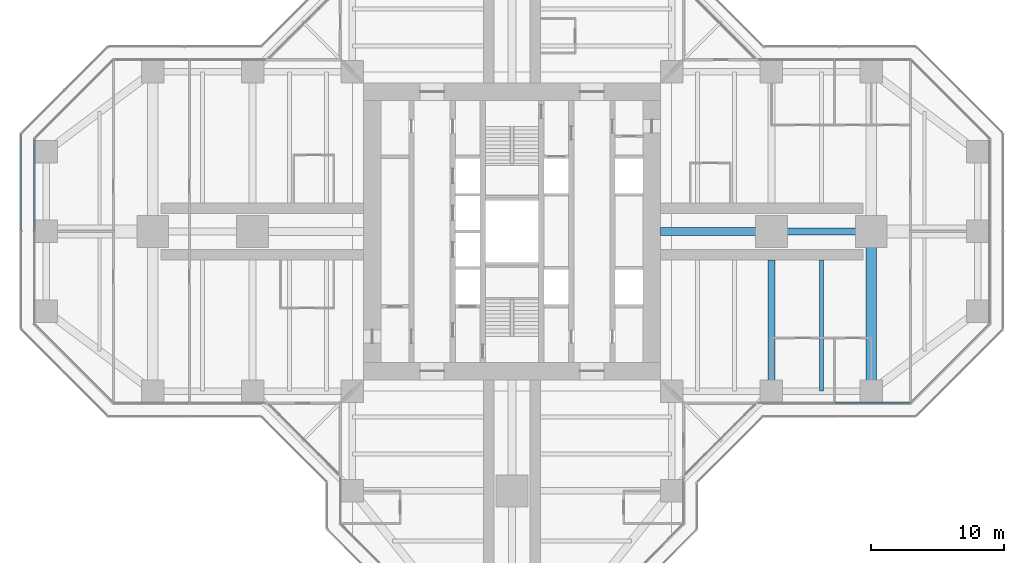
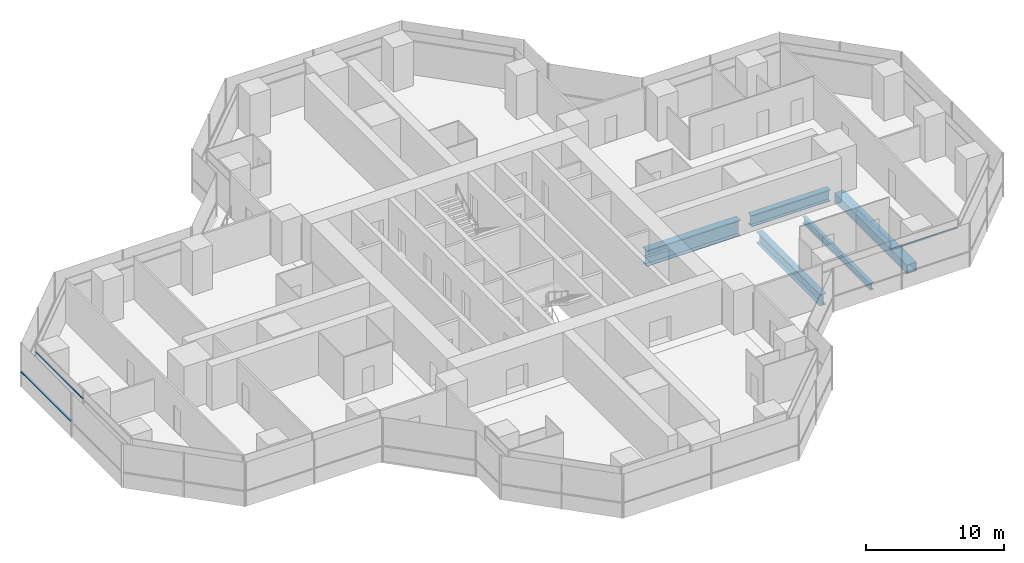
# One storey, part 6 of 20: 5 beams, 3 members, 3 elements without a shape of their own.
"""IFC4 building model written with IfcOpenShell, lengths in metres."""

from ifc_helpers import new_model, si_unit, direction, frame, origin, origin_2d, place, context, subcontext, project, spatial, rectangle, hollow_rectangle, i_section, extrude, material, material_profile, profile_set, type_object, element, aggregate, save


model = new_model("IFC4")

# Units and contexts
model_context = context("Model", 3, precision=1e-05, world=origin(), true_north=direction((0.0, 1.0)))
body_context = subcontext(model_context, "Body", "Model", "MODEL_VIEW")
ifc_project = project(units=[si_unit("LENGTHUNIT", "METRE"), si_unit("AREAUNIT", "SQUARE_METRE"), si_unit("VOLUMEUNIT", "CUBIC_METRE"), si_unit("PLANEANGLEUNIT", "RADIAN"), si_unit("MASSUNIT", "GRAM", prefix="KILO")], contexts=[model_context])

# Site, building, storey
site_placement = place(None, origin())
site = spatial("IfcSite", under=ifc_project, at=site_placement, CompositionType="ELEMENT")
building_placement = place(site_placement, origin())
building = spatial("IfcBuilding", under=site, at=building_placement, Name="Mizan Broadcast Tower", CompositionType="ELEMENT")
storey_placement = place(building_placement, frame((0.0, 0.0, 155.39990234375)))
storey = spatial("IfcBuildingStorey", under=building, at=storey_placement, Name="L35", CompositionType="ELEMENT", Elevation=155.39990234375)

# Beams
ifc_material_1 = material(Name="Steel S460", Category="steel")
ifc_material_profile_1 = material_profile(ifc_material_1, hollow_rectangle(XDim=0.800048828125, YDim=0.800048828125, WallThickness=0.050048828125, at=origin_2d()), Name="BOX 800x800x50")
ifc_profile_set_1 = profile_set([ifc_material_profile_1], Name="Steel S460")
beam_type_1 = type_object("IfcBeamType", Name="GIRDER BOX 800x800x50", PredefinedType="BEAM", material=ifc_profile_set_1)
beam_1_placement = place(storey_placement, frame((27.0, -11.280029296875, -0.52978515625), z_axis=(0.0, 1.0, 0.0), x_axis=(-1.0, 0.0, 0.0)))
element("IfcBeam", 1, at=beam_1_placement, inside=storey, type_object=beam_type_1, Name="Girder BOX 800x800x50 L35 east arm", PredefinedType="BEAM", context=body_context, shape_type="SweptSolid", body=[
    extrude(hollow_rectangle(XDim=0.800048828125, YDim=0.800048828125, WallThickness=0.050048828125, at=origin_2d()), origin(), (0.0, 0.0, 1.0), 10.56005859375),
])
ifc_material_2 = material(Name="Steel S460", Category="steel")
ifc_material_profile_2 = material_profile(ifc_material_2, i_section(OverallWidth=0.5, OverallDepth=1.0, WebThickness=0.02490234375, FlangeThickness=0.050048828125, at=origin_2d()), Name="WPG 1000x500")
ifc_profile_set_2 = profile_set([ifc_material_profile_2], Name="Steel S460")
beam_type_2 = type_object("IfcBeamType", Name="GIRDER WPG 1000x500", PredefinedType="BEAM", material=ifc_profile_set_2)
beam_2_placement = place(storey_placement, frame((19.949951171875, 0.0, -0.6298828125), z_axis=(1.0, 0.0, 0.0), x_axis=(0.0, 1.0, 0.0)))
element("IfcBeam", 2, at=beam_2_placement, inside=storey, type_object=beam_type_2, Name="Girder WPG 1000x500 L35 east arm", PredefinedType="BEAM", context=body_context, shape_type="SweptSolid", body=[
    extrude(i_section(OverallWidth=0.5, OverallDepth=1.0, WebThickness=0.02490234375, FlangeThickness=0.050048828125, at=origin_2d()), origin(), (0.0, 0.0, 1.0), 6.60009765625),
])
beam_3_placement = place(storey_placement, frame((19.5, -11.408935546875, -0.6298828125), z_axis=(0.0, 1.0, 0.0), x_axis=(-1.0, 0.0, 0.0)))
element("IfcBeam", 3, at=beam_3_placement, inside=storey, type_object=beam_type_2, Name="Girder WPG 1000x500 L35 east arm", PredefinedType="BEAM", context=body_context, shape_type="SweptSolid", body=[
    extrude(i_section(OverallWidth=0.5, OverallDepth=1.0, WebThickness=0.02490234375, FlangeThickness=0.050048828125, at=origin_2d()), origin(), (0.0, 0.0, 1.0), 9.259033203125),
])
ifc_material_3 = material(Name="Steel S460", Category="steel")
ifc_material_profile_3 = material_profile(ifc_material_3, i_section(OverallWidth=0.60009765625, OverallDepth=1.39990234375, WebThickness=0.02490234375, FlangeThickness=0.06005859375, at=origin_2d()), Name="WPG 1400x600")
ifc_profile_set_3 = profile_set([ifc_material_profile_3], Name="Steel S460")
beam_type_3 = type_object("IfcBeamType", Name="GIRDER WPG 1400x600", PredefinedType="BEAM", material=ifc_profile_set_3)
beam_4_placement = place(storey_placement, frame((11.14990234375, 0.0, -0.829833984375), z_axis=(1.0, 0.0, 0.0), x_axis=(0.0, 1.0, 0.0)))
element("IfcBeam", 4, at=beam_4_placement, inside=storey, type_object=beam_type_3, Name="Girder WPG 1400x600 L35 east arm", PredefinedType="BEAM", context=body_context, shape_type="SweptSolid", body=[
    extrude(i_section(OverallWidth=0.60009765625, OverallDepth=1.39990234375, WebThickness=0.02490234375, FlangeThickness=0.06005859375, at=origin_2d()), origin(), (0.0, 0.0, 1.0), 7.84912109375),
])

# Curtain wall, member
ifc_material_4 = material(Name="Aluminium framed glazing", Category="aluminium")
curtain_wall_type_1 = type_object("IfcCurtainWallType", Name="INNER SKIN MID ZONE", PredefinedType="USERDEFINED", material=ifc_material_4)
curtain_wall_1_placement = place(storey_placement, origin())
curtain_wall_1 = element("IfcCurtainWall", 5, at=curtain_wall_1_placement, inside=storey, type_object=curtain_wall_type_1, Name="Inner skin mid zone L35 E side", ObjectType="INNER SKIN MID ZONE", PredefinedType="USERDEFINED")
ifc_material_5 = material(Name="Aluminium, pale anodised", Category="aluminium")
ifc_material_profile_4 = material_profile(ifc_material_5, rectangle(XDim=0.1201171875, YDim=0.06005859375, at=origin_2d()), Name="TRANSOM 120x60")
ifc_profile_set_4 = profile_set([ifc_material_profile_4], Name="Aluminium, pale anodised")
member_type_1 = type_object("IfcMemberType", Name="INNER SKIN TRANSOM 60x120", PredefinedType="USERDEFINED", material=ifc_profile_set_4)
member_1_placement = place(storey_placement, frame((24.25927734375, -12.89990234375, 3.030029296875), z_axis=(1.0, 0.0, 0.0), x_axis=(0.0, 1.0, 0.0)))
member_1 = element("IfcMember", 6, at=member_1_placement, type_object=member_type_1, Name="Inner skin mid zone L35 E side transom 2.1", ObjectType="TRANSOM", PredefinedType="USERDEFINED", context=body_context, shape_type="SweptSolid", body=[
    extrude(rectangle(XDim=0.1201171875, YDim=0.06005859375, at=origin_2d()), origin(), (0.0, 0.0, 1.0), 5.639404296875),
])
aggregate(curtain_wall_1, [member_1])

curtain_wall_2_placement = place(storey_placement, origin())
curtain_wall_2 = element("IfcCurtainWall", 7, at=curtain_wall_2_placement, inside=storey, type_object=curtain_wall_type_1, Name="Inner skin mid zone L35 W end", ObjectType="INNER SKIN MID ZONE", PredefinedType="USERDEFINED")
member_2_placement = place(storey_placement, frame((-35.89990234375, 6.898681640625, 3.030029296875), z_axis=(0.0, -1.0, 0.0), x_axis=(1.0, 0.0, 0.0)))
member_2 = element("IfcMember", 8, at=member_2_placement, type_object=member_type_1, Name="Inner skin mid zone L35 W end transom 1.1", ObjectType="TRANSOM", PredefinedType="USERDEFINED", context=body_context, shape_type="SweptSolid", body=[
    extrude(rectangle(XDim=0.1201171875, YDim=0.06005859375, at=origin_2d()), origin(), (0.0, 0.0, 1.0), 6.86865234375),
])
aggregate(curtain_wall_2, [member_2])

ifc_material_6 = material(Name="Aluminium framed glazing", Category="aluminium")
curtain_wall_type_2 = type_object("IfcCurtainWallType", Name="OUTER SKIN", PredefinedType="USERDEFINED", material=ifc_material_6)
curtain_wall_3_placement = place(storey_placement, origin())
curtain_wall_3 = element("IfcCurtainWall", 9, at=curtain_wall_3_placement, inside=storey, type_object=curtain_wall_type_2, Name="Outer skin L35 W end", ObjectType="OUTER SKIN", PredefinedType="USERDEFINED")
ifc_material_7 = material(Name="Aluminium, pale anodised", Category="aluminium")
ifc_material_profile_5 = material_profile(ifc_material_7, rectangle(XDim=0.159912109375, YDim=0.06005859375, at=origin_2d()), Name="TRANSOM 160x60")
ifc_profile_set_5 = profile_set([ifc_material_profile_5], Name="Aluminium, pale anodised")
member_type_2 = type_object("IfcMemberType", Name="OUTER SKIN TRANSOM 60x160", PredefinedType="USERDEFINED", material=ifc_profile_set_5)
member_3_placement = place(storey_placement, frame((-36.89990234375, 7.292724609375, 1.400146484375), z_axis=(0.0, -1.0, 0.0), x_axis=(1.0, 0.0, 0.0)))
member_3 = element("IfcMember", 10, at=member_3_placement, type_object=member_type_2, Name="Outer skin L35 W end transom 1.1", ObjectType="TRANSOM", PredefinedType="USERDEFINED", context=body_context, shape_type="SweptSolid", body=[
    extrude(rectangle(XDim=0.159912109375, YDim=0.06005859375, at=origin_2d()), origin(), (0.0, 0.0, 1.0), 7.252685546875),
])
aggregate(curtain_wall_3, [member_3])

# Beam
ifc_material_8 = material(Name="Steel S355", Category="steel")
ifc_material_profile_6 = material_profile(ifc_material_8, i_section(OverallWidth=0.300048828125, OverallDepth=0.590087890625, WebThickness=0.012939453125, FlangeThickness=0.02490234375, FilletRadius=0.027099609375, at=origin_2d()), Name="HEA 600")
ifc_profile_set_6 = profile_set([ifc_material_profile_6], Name="Steel S355")
beam_type_4 = type_object("IfcBeamType", Name="SECONDARY BEAM HEA 600", PredefinedType="JOIST", material=ifc_profile_set_6)
beam_5_placement = place(storey_placement, frame((23.25, -12.0, -0.4248046875), z_axis=(0.0, 1.0, 0.0), x_axis=(-1.0, 0.0, 0.0)))
element("IfcBeam", 11, at=beam_5_placement, inside=storey, type_object=beam_type_4, Name="Secondary beam HEA 600 L35 east arm", PredefinedType="JOIST", context=body_context, shape_type="SweptSolid", body=[
    extrude(i_section(OverallWidth=0.300048828125, OverallDepth=0.590087890625, WebThickness=0.012939453125, FlangeThickness=0.02490234375, FilletRadius=0.027099609375, at=origin_2d()), origin(), (0.0, 0.0, 1.0), 9.85009765625),
])

save(model, "model.ifc")
